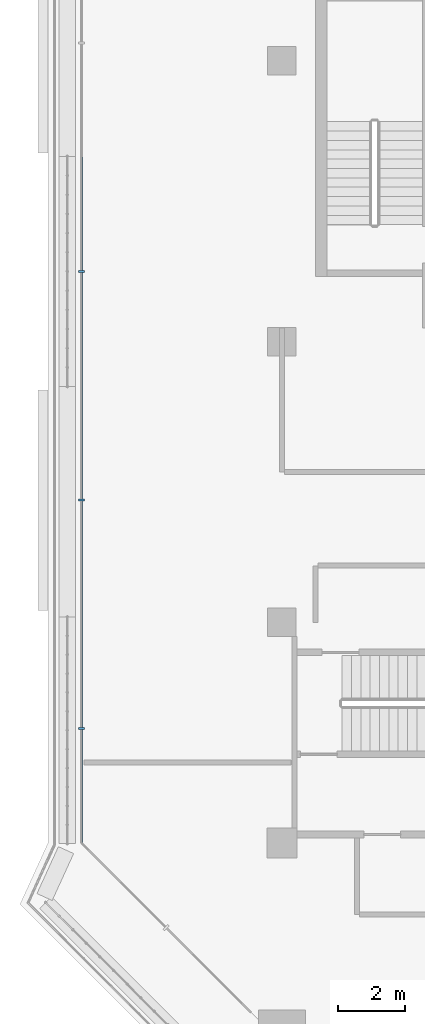
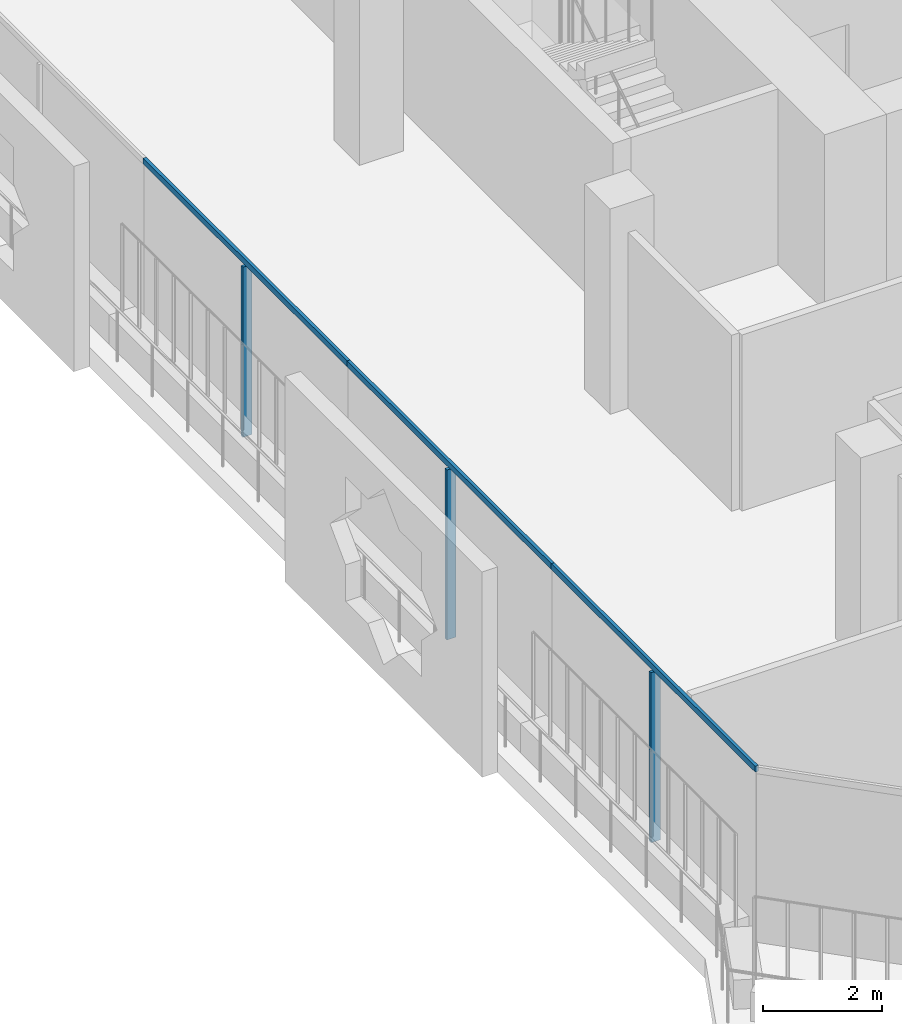
# One storey, part 3 of 23: 6 members, 1 element without a shape of its own.
"""IFC4 building model written with IfcOpenShell, lengths in metres."""

from ifc_helpers import new_model, si_unit, direction, frame, origin, origin_2d, place, context, subcontext, project, spatial, rectangle, extrude, material, layer, layer_set, material_profile, profile_set, type_object, element, aggregate, save


model = new_model("IFC4")

# Units and contexts
model_context = context("Model", 3, precision=1e-05, world=origin(), true_north=direction((0.0, 1.0)))
body_context = subcontext(model_context, "Body", "Model", "MODEL_VIEW")
ifc_project = project(units=[si_unit("LENGTHUNIT", "METRE"), si_unit("AREAUNIT", "SQUARE_METRE"), si_unit("VOLUMEUNIT", "CUBIC_METRE"), si_unit("PLANEANGLEUNIT", "RADIAN"), si_unit("MASSUNIT", "GRAM", prefix="KILO")], contexts=[model_context])

# Site, building, storey
site_placement = place(None, origin())
site = spatial("IfcSite", under=ifc_project, at=site_placement, CompositionType="ELEMENT")
building_placement = place(site_placement, origin())
building = spatial("IfcBuilding", under=site, at=building_placement, Name="Kawkab Arch Medical Tower", CompositionType="ELEMENT")
storey_placement = place(building_placement, frame((0.0, 0.0, 222.199951171875)))
storey = spatial("IfcBuildingStorey", under=building, at=storey_placement, Name="L51", CompositionType="ELEMENT", Elevation=222.199951171875)

# Curtain wall, members
ifc_material_1 = material(Name="Bronze anodised aluminium curtain wall frame", Category="aluminium")
ifc_layer = layer(ifc_material_1, 0.159912109375)
ifc_layer_set = layer_set([ifc_layer], Name="Bronze anodised aluminium curtain wall frame")
curtain_wall_type = type_object("IfcCurtainWallType", Name="CW1 ward curtain wall", PredefinedType="NOTDEFINED", material=ifc_layer_set)
curtain_wall_placement = place(storey_placement, origin())
curtain_wall = element("IfcCurtainWall", 1, at=curtain_wall_placement, inside=storey, type_object=curtain_wall_type, Name="CW1 Ward curtain wall R11", PredefinedType="NOTDEFINED")
ifc_material_2 = material(Name="Bronze anodised aluminium curtain wall frame", Category="aluminium")
ifc_material_profile_1 = material_profile(ifc_material_2, rectangle(XDim=0.179931640625, YDim=0.06005859375, at=origin_2d()), Name="AL 60x180")
ifc_profile_set_1 = profile_set([ifc_material_profile_1], Name="Bronze anodised aluminium curtain wall frame")
member_type_1 = type_object("IfcMemberType", Name="CW1 mullion 60 x 180", PredefinedType="MULLION", material=ifc_profile_set_1)
member_1_placement = place(storey_placement, frame((-6.0, -23.10009765625, 0.0), z_axis=(0.0, 0.0, 1.0), x_axis=(1.0, 0.0, 0.0)))
member_1 = element("IfcMember", 2, at=member_1_placement, type_object=member_type_1, Name="CW1 mullion 3.1", PredefinedType="MULLION", context=body_context, shape_type="SweptSolid", body=[
    extrude(rectangle(XDim=0.179931640625, YDim=0.06005859375, at=origin_2d()), origin(), (0.0, 0.0, 1.0), 3.47998046875),
])
member_2_placement = place(storey_placement, frame((-6.0, -29.93994140625, 0.0), z_axis=(0.0, 0.0, 1.0), x_axis=(1.0, 0.0, 0.0)))
member_2 = element("IfcMember", 3, at=member_2_placement, type_object=member_type_1, Name="CW1 mullion 4.1", PredefinedType="MULLION", context=body_context, shape_type="SweptSolid", body=[
    extrude(rectangle(XDim=0.179931640625, YDim=0.06005859375, at=origin_2d()), origin(), (0.0, 0.0, 1.0), 3.47998046875),
])
member_3_placement = place(storey_placement, frame((-6.0, -36.780029296875, 0.0), z_axis=(0.0, 0.0, 1.0), x_axis=(1.0, 0.0, 0.0)))
member_3 = element("IfcMember", 4, at=member_3_placement, type_object=member_type_1, Name="CW1 mullion 5.1", PredefinedType="MULLION", context=body_context, shape_type="SweptSolid", body=[
    extrude(rectangle(XDim=0.179931640625, YDim=0.06005859375, at=origin_2d()), origin(), (0.0, 0.0, 1.0), 3.47998046875),
])
ifc_material_3 = material(Name="Bronze anodised aluminium curtain wall frame", Category="aluminium")
ifc_material_profile_2 = material_profile(ifc_material_3, rectangle(XDim=0.06005859375, YDim=0.1201171875, at=origin_2d()), Name="AL 60x120")
ifc_profile_set_2 = profile_set([ifc_material_profile_2], Name="Bronze anodised aluminium curtain wall frame")
member_type_2 = type_object("IfcMemberType", Name="CW1 transom 120 x 60", PredefinedType="USERDEFINED", material=ifc_profile_set_2)
member_4_placement = place(storey_placement, frame((-6.0, -19.679931640625, 3.5400390625), z_axis=(0.0, -1.0, 0.0), x_axis=(1.0, 0.0, 0.0)))
member_4 = element("IfcMember", 5, at=member_4_placement, type_object=member_type_2, Name="CW1 transom 3", ObjectType="TRANSOM", PredefinedType="USERDEFINED", context=body_context, shape_type="SweptSolid", body=[
    extrude(rectangle(XDim=0.06005859375, YDim=0.1201171875, at=origin_2d()), origin(), (0.0, 0.0, 1.0), 6.840087890625),
])
member_5_placement = place(storey_placement, frame((-6.0, -26.52001953125, 3.5400390625), z_axis=(0.0, -1.0, 0.0), x_axis=(1.0, 0.0, 0.0)))
member_5 = element("IfcMember", 6, at=member_5_placement, type_object=member_type_2, Name="CW1 transom 4", ObjectType="TRANSOM", PredefinedType="USERDEFINED", context=body_context, shape_type="SweptSolid", body=[
    extrude(rectangle(XDim=0.06005859375, YDim=0.1201171875, at=origin_2d()), origin(), (0.0, 0.0, 1.0), 6.840087890625),
])
member_6_placement = place(storey_placement, frame((-6.0, -33.360107421875, 3.5400390625), z_axis=(0.0, -1.0, 0.0), x_axis=(1.0, 0.0, 0.0)))
member_6 = element("IfcMember", 7, at=member_6_placement, type_object=member_type_2, Name="CW1 transom 5", ObjectType="TRANSOM", PredefinedType="USERDEFINED", context=body_context, shape_type="SweptSolid", body=[
    extrude(rectangle(XDim=0.06005859375, YDim=0.1201171875, at=origin_2d()), origin(), (0.0, 0.0, 1.0), 6.83984375),
])
aggregate(curtain_wall, [member_4, member_1, member_5, member_2, member_6, member_3])

save(model, "model.ifc")
